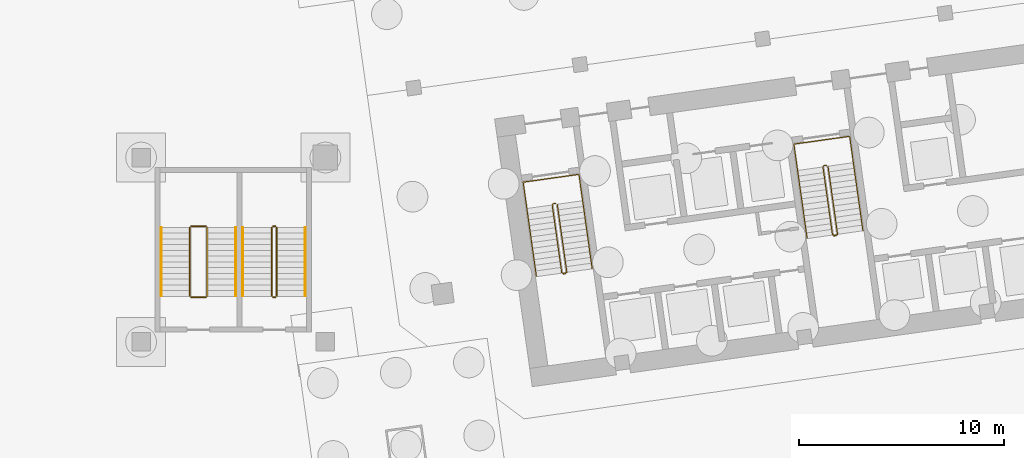
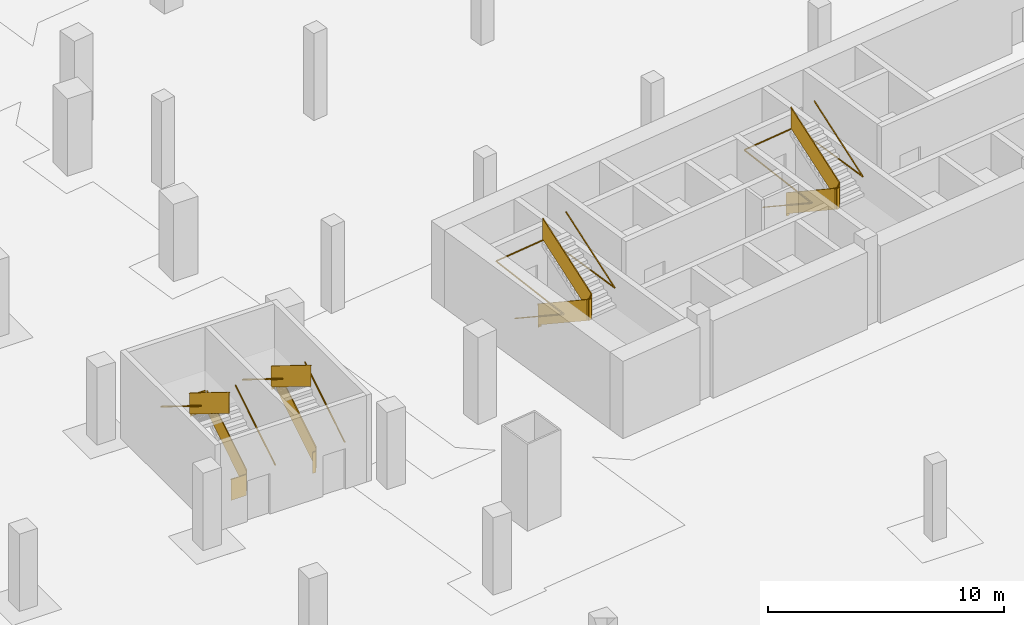
# One storey, part 17 of 19: 16 railings.
"""IFC4 building model written with IfcOpenShell, lengths in metres."""

from ifc_helpers import new_model, si_unit, direction, frame, origin, origin_2d, place, context, subcontext, project, spatial, rectangle, extrude, material, type_object, element, save


model = new_model("IFC4")

# Units and contexts
model_context = context("Model", 3, precision=1e-05, world=origin(), true_north=direction((0.0, 1.0)))
body_context = subcontext(model_context, "Body", "Model", "MODEL_VIEW")
ifc_project = project(units=[si_unit("LENGTHUNIT", "METRE"), si_unit("AREAUNIT", "SQUARE_METRE"), si_unit("VOLUMEUNIT", "CUBIC_METRE"), si_unit("PLANEANGLEUNIT", "RADIAN"), si_unit("MASSUNIT", "GRAM", prefix="KILO")], contexts=[model_context])

# Site, building, storey
site_placement = place(None, origin())
site = spatial("IfcSite", under=ifc_project, at=site_placement, CompositionType="ELEMENT")
building_placement = place(site_placement, origin())
building = spatial("IfcBuilding", under=site, at=building_placement, Name="Mirante Cascada Hotel Towers", CompositionType="ELEMENT")
storey_placement = place(building_placement, frame((0.0, 0.0, -9.0)))
storey = spatial("IfcBuildingStorey", under=building, at=storey_placement, Name="B2", CompositionType="ELEMENT", Elevation=-9.0)

# Railings
ifc_material_1 = material(Name="Painted steel", Category="steel")
railing_type_1 = type_object("IfcRailingType", Name="Podium stair guard 1100 steel balustrade", PredefinedType="GUARDRAIL", material=ifc_material_1)
railing_1_placement = place(storey_placement, frame((24.625, -15.775, 0.1731)))
element("IfcRailing", 1, at=railing_1_placement, inside=storey, type_object=railing_type_1, Name="B2 PS2 stair guard 1", PredefinedType="GUARDRAIL", context=body_context, shape_type="SweptSolid", body=[
    extrude(rectangle(XDim=0.048, YDim=0.048, at=origin_2d()), frame((0.0, 0.0, 1.076), z_axis=(0.0, 1.0, 0.0), x_axis=(-1.0, 0.0, 0.0)), (0.0, 0.5257871, 0.8506162), 3.9501),
    extrude(rectangle(XDim=0.02, YDim=1.052, at=origin_2d()), frame((0.0, 0.0, 0.526), z_axis=(0.0, 1.0, 0.0), x_axis=(-1.0, 0.0, 0.0)), (0.0, 0.5257871, 0.8506162), 3.9501),
])
railing_2_placement = place(storey_placement, frame((24.575, -12.365, 2.25)))
element("IfcRailing", 2, at=railing_2_placement, inside=storey, type_object=railing_type_1, Name="B2 PS2 stair guard 2", PredefinedType="GUARDRAIL", context=body_context, shape_type="SweptSolid", body=[
    extrude(rectangle(XDim=0.048, YDim=0.048, at=origin_2d()), frame((0.0, 0.0, 1.076), z_axis=(-1.0, 0.0, 0.0), x_axis=(0.0, -1.0, 0.0)), (0.0, 0.0, 1.0), 0.15),
    extrude(rectangle(XDim=0.02, YDim=1.052, at=origin_2d()), frame((0.0, 0.0, 0.526), z_axis=(-1.0, 0.0, 0.0), x_axis=(0.0, -1.0, 0.0)), (0.0, 0.0, 1.0), 0.15),
])
railing_3_placement = place(storey_placement, frame((24.375, -12.415, 2.4231)))
element("IfcRailing", 3, at=railing_3_placement, inside=storey, type_object=railing_type_1, Name="B2 PS2 stair guard 3", PredefinedType="GUARDRAIL", context=body_context, shape_type="SweptSolid", body=[
    extrude(rectangle(XDim=0.048, YDim=0.048, at=origin_2d()), frame((0.0, 0.0, 1.076), z_axis=(0.0, -1.0, 0.0), x_axis=(1.0, 0.0, 0.0)), (0.0, 0.5257871, 0.8506162), 3.9501),
    extrude(rectangle(XDim=0.02, YDim=1.052, at=origin_2d()), frame((0.0, 0.0, 0.526), z_axis=(0.0, -1.0, 0.0), x_axis=(1.0, 0.0, 0.0)), (0.0, 0.5257871, 0.8506162), 3.9501),
])
railing_4_placement = place(storey_placement, frame((24.575, -15.825, 0.0)))
element("IfcRailing", 4, at=railing_4_placement, inside=storey, type_object=railing_type_1, Name="B2 PS2 stair guard 4", PredefinedType="GUARDRAIL", context=body_context, shape_type="SweptSolid", body=[
    extrude(rectangle(XDim=0.048, YDim=0.048, at=origin_2d()), frame((0.0, 0.0, 1.076), z_axis=(-1.0, 0.0, 0.0), x_axis=(0.0, -1.0, 0.0)), (0.0, 0.0, 1.0), 0.15),
    extrude(rectangle(XDim=0.02, YDim=1.052, at=origin_2d()), frame((0.0, 0.0, 0.526), z_axis=(-1.0, 0.0, 0.0), x_axis=(0.0, -1.0, 0.0)), (0.0, 0.0, 1.0), 0.15),
])
railing_5_placement = place(storey_placement, frame((21.225, -15.775, 0.1731)))
element("IfcRailing", 5, at=railing_5_placement, inside=storey, type_object=railing_type_1, Name="B2 PS4 stair guard 1", PredefinedType="GUARDRAIL", context=body_context, shape_type="SweptSolid", body=[
    extrude(rectangle(XDim=0.048, YDim=0.048, at=origin_2d()), frame((0.0, 0.0, 1.076), z_axis=(0.0, 1.0, 0.0), x_axis=(-1.0, 0.0, 0.0)), (0.0, 0.5257871, 0.8506162), 3.9501),
    extrude(rectangle(XDim=0.02, YDim=1.052, at=origin_2d()), frame((0.0, 0.0, 0.526), z_axis=(0.0, 1.0, 0.0), x_axis=(-1.0, 0.0, 0.0)), (0.0, 0.5257871, 0.8506162), 3.9501),
])
railing_6_placement = place(storey_placement, frame((21.175, -12.365, 2.25)))
element("IfcRailing", 6, at=railing_6_placement, inside=storey, type_object=railing_type_1, Name="B2 PS4 stair guard 2", PredefinedType="GUARDRAIL", context=body_context, shape_type="SweptSolid", body=[
    extrude(rectangle(XDim=0.048, YDim=0.048, at=origin_2d()), frame((0.0, 0.0, 1.076), z_axis=(-1.0, 0.0, 0.0), x_axis=(0.0, -1.0, 0.0)), (0.0, 0.0, 1.0), 0.75),
    extrude(rectangle(XDim=0.02, YDim=1.052, at=origin_2d()), frame((0.0, 0.0, 0.526), z_axis=(-1.0, 0.0, 0.0), x_axis=(0.0, -1.0, 0.0)), (0.0, 0.0, 1.0), 0.75),
])
railing_7_placement = place(storey_placement, frame((20.375, -12.415, 2.4231)))
element("IfcRailing", 7, at=railing_7_placement, inside=storey, type_object=railing_type_1, Name="B2 PS4 stair guard 3", PredefinedType="GUARDRAIL", context=body_context, shape_type="SweptSolid", body=[
    extrude(rectangle(XDim=0.048, YDim=0.048, at=origin_2d()), frame((0.0, 0.0, 1.076), z_axis=(0.0, -1.0, 0.0), x_axis=(1.0, 0.0, 0.0)), (0.0, 0.5257871, 0.8506162), 3.9501),
    extrude(rectangle(XDim=0.02, YDim=1.052, at=origin_2d()), frame((0.0, 0.0, 0.526), z_axis=(0.0, -1.0, 0.0), x_axis=(1.0, 0.0, 0.0)), (0.0, 0.5257871, 0.8506162), 3.9501),
])
railing_8_placement = place(storey_placement, frame((21.175, -15.825, 0.0)))
element("IfcRailing", 8, at=railing_8_placement, inside=storey, type_object=railing_type_1, Name="B2 PS4 stair guard 4", PredefinedType="GUARDRAIL", context=body_context, shape_type="SweptSolid", body=[
    extrude(rectangle(XDim=0.048, YDim=0.048, at=origin_2d()), frame((0.0, 0.0, 1.076), z_axis=(-1.0, 0.0, 0.0), x_axis=(0.0, -1.0, 0.0)), (0.0, 0.0, 1.0), 0.75),
    extrude(rectangle(XDim=0.02, YDim=1.052, at=origin_2d()), frame((0.0, 0.0, 0.526), z_axis=(-1.0, 0.0, 0.0), x_axis=(0.0, -1.0, 0.0)), (0.0, 0.0, 1.0), 0.75),
])
ifc_material_2 = material(Name="Painted steel", Category="steel")
railing_type_2 = type_object("IfcRailingType", Name="Podium stair handrail 900 steel tube", PredefinedType="HANDRAIL", material=ifc_material_2)
railing_9_placement = place(storey_placement, frame((26.025, -15.775, 0.1731)))
element("IfcRailing", 9, at=railing_9_placement, inside=storey, type_object=railing_type_2, Name="B2 PS2 stair handrail 1", PredefinedType="HANDRAIL", context=body_context, shape_type="SweptSolid", body=[
    extrude(rectangle(XDim=0.048, YDim=0.048, at=origin_2d()), frame((0.0, 0.0, 0.876), z_axis=(0.0, 1.0, 0.0), x_axis=(-1.0, 0.0, 0.0)), (0.0, 0.5257871, 0.8506162), 3.9501),
])
railing_10_placement = place(storey_placement, frame((22.975, -12.415, 2.4231)))
element("IfcRailing", 10, at=railing_10_placement, inside=storey, type_object=railing_type_2, Name="B2 PS2 stair handrail 2", PredefinedType="HANDRAIL", context=body_context, shape_type="SweptSolid", body=[
    extrude(rectangle(XDim=0.048, YDim=0.048, at=origin_2d()), frame((0.0, 0.0, 0.876), z_axis=(0.0, -1.0, 0.0), x_axis=(1.0, 0.0, 0.0)), (0.0, 0.5257871, 0.8506162), 3.9501),
])
railing_11_placement = place(storey_placement, frame((22.625, -15.775, 0.1731)))
element("IfcRailing", 11, at=railing_11_placement, inside=storey, type_object=railing_type_2, Name="B2 PS4 stair handrail 1", PredefinedType="HANDRAIL", context=body_context, shape_type="SweptSolid", body=[
    extrude(rectangle(XDim=0.048, YDim=0.048, at=origin_2d()), frame((0.0, 0.0, 0.876), z_axis=(0.0, 1.0, 0.0), x_axis=(-1.0, 0.0, 0.0)), (0.0, 0.5257871, 0.8506162), 3.9501),
])
railing_12_placement = place(storey_placement, frame((18.975, -12.415, 2.4231)))
element("IfcRailing", 12, at=railing_12_placement, inside=storey, type_object=railing_type_2, Name="B2 PS4 stair handrail 2", PredefinedType="HANDRAIL", context=body_context, shape_type="SweptSolid", body=[
    extrude(rectangle(XDim=0.048, YDim=0.048, at=origin_2d()), frame((0.0, 0.0, 0.876), z_axis=(0.0, -1.0, 0.0), x_axis=(1.0, 0.0, 0.0)), (0.0, 0.5257871, 0.8506162), 3.9501),
])
ifc_material_3 = material(Name="Painted steel", Category="steel")
railing_type_3 = type_object("IfcRailingType", Name="Stair guard 1100 steel balustrade", PredefinedType="GUARDRAIL", material=ifc_material_3)
railing_13_placement = place(storey_placement, frame((38.2663, -11.2395, 0.0)))
element("IfcRailing", 13, at=railing_13_placement, inside=storey, type_object=railing_type_3, Name="B2 ST2-A stair guard 1", PredefinedType="GUARDRAIL", context=body_context, shape_type="SweptSolid", body=[
    extrude(rectangle(XDim=0.048, YDim=0.048, at=origin_2d()), frame((0.0, 0.0, 1.076), z_axis=(-0.9903326, -0.1387133, 0.0), x_axis=(0.1387133, -0.9903326, 0.0)), (0.0, 0.0, 1.0), 0.1499),
    extrude(rectangle(XDim=0.02, YDim=1.052, at=origin_2d()), frame((0.0, 0.0, 0.526), z_axis=(-0.9903326, -0.1387133, 0.0), x_axis=(0.1387133, -0.9903326, 0.0)), (0.0, 0.0, 1.0), 0.1499),
    extrude(rectangle(XDim=0.048, YDim=0.048, at=origin_2d()), frame((-0.1485, -0.0208, 1.076), z_axis=(-0.6020331, -0.7984711, 0.0), x_axis=(0.7984711, -0.6020331, 0.0)), (0.0, 0.925647, 0.3783882), 0.187),
    extrude(rectangle(XDim=0.02, YDim=1.052, at=origin_2d()), frame((-0.1485, -0.0208, 0.526), z_axis=(-0.6020331, -0.7984711, 0.0), x_axis=(0.7984711, -0.6020331, 0.0)), (0.0, 0.925647, 0.3783882), 0.187),
    extrude(rectangle(XDim=0.048, YDim=0.048, at=origin_2d()), frame((-0.1911, -0.0773, 1.2491), z_axis=(0.139196, -0.9902648, 0.0), x_axis=(0.9902648, 0.139196, 0.0)), (0.0, 0.525786, 0.8506169), 3.9501),
    extrude(rectangle(XDim=0.02, YDim=1.052, at=origin_2d()), frame((-0.1911, -0.0773, 0.6991), z_axis=(0.139196, -0.9902648, 0.0), x_axis=(0.9902648, 0.139196, 0.0)), (0.0, 0.525786, 0.8506169), 3.9501),
    extrude(rectangle(XDim=0.048, YDim=0.048, at=origin_2d()), frame((0.2766, -3.4046, 3.326), z_axis=(0.9944441, -0.1052656, 0.0), x_axis=(0.1052656, 0.9944441, 0.0)), (0.0, 0.0, 1.0), 0.2061),
    extrude(rectangle(XDim=0.02, YDim=1.052, at=origin_2d()), frame((0.2766, -3.4046, 2.776), z_axis=(0.9944441, -0.1052656, 0.0), x_axis=(0.1052656, 0.9944441, 0.0)), (0.0, 0.0, 1.0), 0.2061),
    extrude(rectangle(XDim=0.048, YDim=0.048, at=origin_2d()), frame((0.4816, -3.4263, 3.326), z_axis=(-0.9902537, -0.1392753, 0.0), x_axis=(0.1392753, -0.9902537, 0.0)), (0.0, 0.0, 1.0), 0.1501),
    extrude(rectangle(XDim=0.02, YDim=1.052, at=origin_2d()), frame((0.4816, -3.4263, 2.776), z_axis=(-0.9902537, -0.1392753, 0.0), x_axis=(0.1392753, -0.9902537, 0.0)), (0.0, 0.0, 1.0), 0.1501),
    extrude(rectangle(XDim=0.048, YDim=0.048, at=origin_2d()), frame((0.333, -3.4472, 3.326), z_axis=(0.9268624, 0.3754011, 0.0), x_axis=(-0.3754011, 0.9268624, 0.0)), (0.0, 0.6429944, 0.7658709), 0.2692),
    extrude(rectangle(XDim=0.02, YDim=1.052, at=origin_2d()), frame((0.333, -3.4472, 2.776), z_axis=(0.9268624, 0.3754011, 0.0), x_axis=(-0.3754011, 0.9268624, 0.0)), (0.0, 0.6429944, 0.7658709), 0.2692),
    extrude(rectangle(XDim=0.048, YDim=0.048, at=origin_2d()), frame((0.5241, -3.3698, 3.4991), z_axis=(-0.1391668, 0.990269, 0.0), x_axis=(-0.990269, -0.1391668, 0.0)), (0.0, 0.5257875, 0.8506159), 3.9501),
    extrude(rectangle(XDim=0.02, YDim=1.052, at=origin_2d()), frame((0.5241, -3.3698, 2.9491), z_axis=(-0.1391668, 0.990269, 0.0), x_axis=(-0.990269, -0.1391668, 0.0)), (0.0, 0.5257875, 0.8506159), 3.9501),
])
railing_14_placement = place(storey_placement, frame((51.4864, -9.3815, 0.0)))
element("IfcRailing", 14, at=railing_14_placement, inside=storey, type_object=railing_type_3, Name="B2 ST2-B stair guard 1", PredefinedType="GUARDRAIL", context=body_context, shape_type="SweptSolid", body=[
    extrude(rectangle(XDim=0.048, YDim=0.048, at=origin_2d()), frame((0.0, 0.0, 1.076), z_axis=(-0.9902408, -0.1393672, 0.0), x_axis=(0.1393672, -0.9902408, 0.0)), (0.0, 0.0, 1.0), 0.15),
    extrude(rectangle(XDim=0.02, YDim=1.052, at=origin_2d()), frame((0.0, 0.0, 0.526), z_axis=(-0.9902408, -0.1393672, 0.0), x_axis=(0.1393672, -0.9902408, 0.0)), (0.0, 0.0, 1.0), 0.15),
    extrude(rectangle(XDim=0.048, YDim=0.048, at=origin_2d()), frame((-0.1485, -0.0209, 1.076), z_axis=(-0.6020331, -0.7984711, 0.0), x_axis=(0.7984711, -0.6020331, 0.0)), (0.0, 0.925647, 0.3783882), 0.187),
    extrude(rectangle(XDim=0.02, YDim=1.052, at=origin_2d()), frame((-0.1485, -0.0209, 0.526), z_axis=(-0.6020331, -0.7984711, 0.0), x_axis=(0.7984711, -0.6020331, 0.0)), (0.0, 0.925647, 0.3783882), 0.187),
    extrude(rectangle(XDim=0.048, YDim=0.048, at=origin_2d()), frame((-0.1911, -0.0774, 1.2491), z_axis=(0.1391668, -0.990269, 0.0), x_axis=(0.990269, 0.1391668, 0.0)), (0.0, 0.5257875, 0.8506159), 3.9501),
    extrude(rectangle(XDim=0.02, YDim=1.052, at=origin_2d()), frame((-0.1911, -0.0774, 0.6991), z_axis=(0.1391668, -0.990269, 0.0), x_axis=(0.990269, 0.1391668, 0.0)), (0.0, 0.5257875, 0.8506159), 3.9501),
    extrude(rectangle(XDim=0.048, YDim=0.048, at=origin_2d()), frame((0.2765, -3.4047, 3.326), z_axis=(0.9945001, -0.1047353, 0.0), x_axis=(0.1047353, 0.9945001, 0.0)), (0.0, 0.0, 1.0), 0.2062),
    extrude(rectangle(XDim=0.02, YDim=1.052, at=origin_2d()), frame((0.2765, -3.4047, 2.776), z_axis=(0.9945001, -0.1047353, 0.0), x_axis=(0.1047353, 0.9945001, 0.0)), (0.0, 0.0, 1.0), 0.2062),
    extrude(rectangle(XDim=0.048, YDim=0.048, at=origin_2d()), frame((0.4816, -3.4263, 3.326), z_axis=(-0.9902537, -0.1392753, 0.0), x_axis=(0.1392753, -0.9902537, 0.0)), (0.0, 0.0, 1.0), 0.1501),
    extrude(rectangle(XDim=0.02, YDim=1.052, at=origin_2d()), frame((0.4816, -3.4263, 2.776), z_axis=(-0.9902537, -0.1392753, 0.0), x_axis=(0.1392753, -0.9902537, 0.0)), (0.0, 0.0, 1.0), 0.1501),
    extrude(rectangle(XDim=0.048, YDim=0.048, at=origin_2d()), frame((0.333, -3.4472, 3.326), z_axis=(0.9270311, 0.3749843, 0.0), x_axis=(-0.3749843, 0.9270311, 0.0)), (0.0, 0.6430631, 0.7658132), 0.2692),
    extrude(rectangle(XDim=0.02, YDim=1.052, at=origin_2d()), frame((0.333, -3.4472, 2.776), z_axis=(0.9270311, 0.3749843, 0.0), x_axis=(-0.3749843, 0.9270311, 0.0)), (0.0, 0.6430631, 0.7658132), 0.2692),
    extrude(rectangle(XDim=0.048, YDim=0.048, at=origin_2d()), frame((0.5241, -3.3699, 3.4991), z_axis=(-0.1391668, 0.990269, 0.0), x_axis=(-0.990269, -0.1391668, 0.0)), (0.0, 0.5257875, 0.8506159), 3.9501),
    extrude(rectangle(XDim=0.02, YDim=1.052, at=origin_2d()), frame((0.5241, -3.3699, 2.9491), z_axis=(-0.1391668, 0.990269, 0.0), x_axis=(-0.990269, -0.1391668, 0.0)), (0.0, 0.5257875, 0.8506159), 3.9501),
])
ifc_material_4 = material(Name="Painted steel", Category="steel")
railing_type_4 = type_object("IfcRailingType", Name="Stair handrail 900 steel tube", PredefinedType="HANDRAIL", material=ifc_material_4)
railing_15_placement = place(storey_placement, frame((36.8374, -11.4908, 0.1731)))
element("IfcRailing", 15, at=railing_15_placement, inside=storey, type_object=railing_type_4, Name="B2 ST2-A stair handrail 1", PredefinedType="HANDRAIL", context=body_context, shape_type="SweptSolid", body=[
    extrude(rectangle(XDim=0.048, YDim=0.048, at=origin_2d()), frame((0.0, 0.0, 0.876), z_axis=(0.1391668, -0.990269, 0.0), x_axis=(0.990269, 0.1391668, 0.0)), (0.0, 0.5257875, 0.8506159), 3.9501),
    extrude(rectangle(XDim=0.048, YDim=0.048, at=origin_2d()), frame((0.4676, -3.3273, 2.9529), z_axis=(-0.1391618, 0.9902697, 0.0), x_axis=(-0.9902697, -0.1391618, 0.0)), (0.0, 0.03712, 0.9993108), 4.6633),
    extrude(rectangle(XDim=0.048, YDim=0.048, at=origin_2d()), frame((-0.1809, 1.2874, 3.126), z_axis=(0.9902691, 0.1391657, 0.0), x_axis=(-0.1391657, 0.9902691, 0.0)), (0.0, 0.0, 1.0), 2.75),
    extrude(rectangle(XDim=0.048, YDim=0.048, at=origin_2d()), frame((2.5423, 1.6701, 3.126), z_axis=(0.1391828, -0.9902667, 0.0), x_axis=(0.9902667, 0.1391828, 0.0)), (0.0, 0.0, 1.0), 4.6601),
    extrude(rectangle(XDim=0.048, YDim=0.048, at=origin_2d()), frame((3.1909, -2.9446, 3.126), z_axis=(-0.139196, 0.9902648, 0.0), x_axis=(-0.9902648, -0.139196, 0.0)), (0.0, 0.525786, 0.8506169), 3.9501),
])
railing_16_placement = place(storey_placement, frame((50.0575, -9.6328, 0.1731)))
element("IfcRailing", 16, at=railing_16_placement, inside=storey, type_object=railing_type_4, Name="B2 ST2-B stair handrail 1", PredefinedType="HANDRAIL", context=body_context, shape_type="SweptSolid", body=[
    extrude(rectangle(XDim=0.048, YDim=0.048, at=origin_2d()), frame((0.0, 0.0, 0.876), z_axis=(0.1391668, -0.990269, 0.0), x_axis=(0.990269, 0.1391668, 0.0)), (0.0, 0.5257875, 0.8506159), 3.9501),
    extrude(rectangle(XDim=0.048, YDim=0.048, at=origin_2d()), frame((0.4676, -3.3273, 2.9529), z_axis=(-0.1391647, 0.9902692, 0.0), x_axis=(-0.9902692, -0.1391647, 0.0)), (0.0, 0.0371208, 0.9993108), 4.6632),
    extrude(rectangle(XDim=0.048, YDim=0.048, at=origin_2d()), frame((-0.1809, 1.2873, 3.126), z_axis=(0.9902641, 0.1392013, 0.0), x_axis=(-0.1392013, 0.9902641, 0.0)), (0.0, 0.0, 1.0), 2.75),
    extrude(rectangle(XDim=0.048, YDim=0.048, at=origin_2d()), frame((2.5423, 1.6701, 3.126), z_axis=(0.1391618, -0.9902697, 0.0), x_axis=(0.9902697, 0.1391618, 0.0)), (0.0, 0.0, 1.0), 4.66),
    extrude(rectangle(XDim=0.048, YDim=0.048, at=origin_2d()), frame((3.1908, -2.9446, 3.126), z_axis=(-0.1391668, 0.990269, 0.0), x_axis=(-0.990269, -0.1391668, 0.0)), (0.0, 0.5257875, 0.8506159), 3.9501),
])

save(model, "model.ifc")
